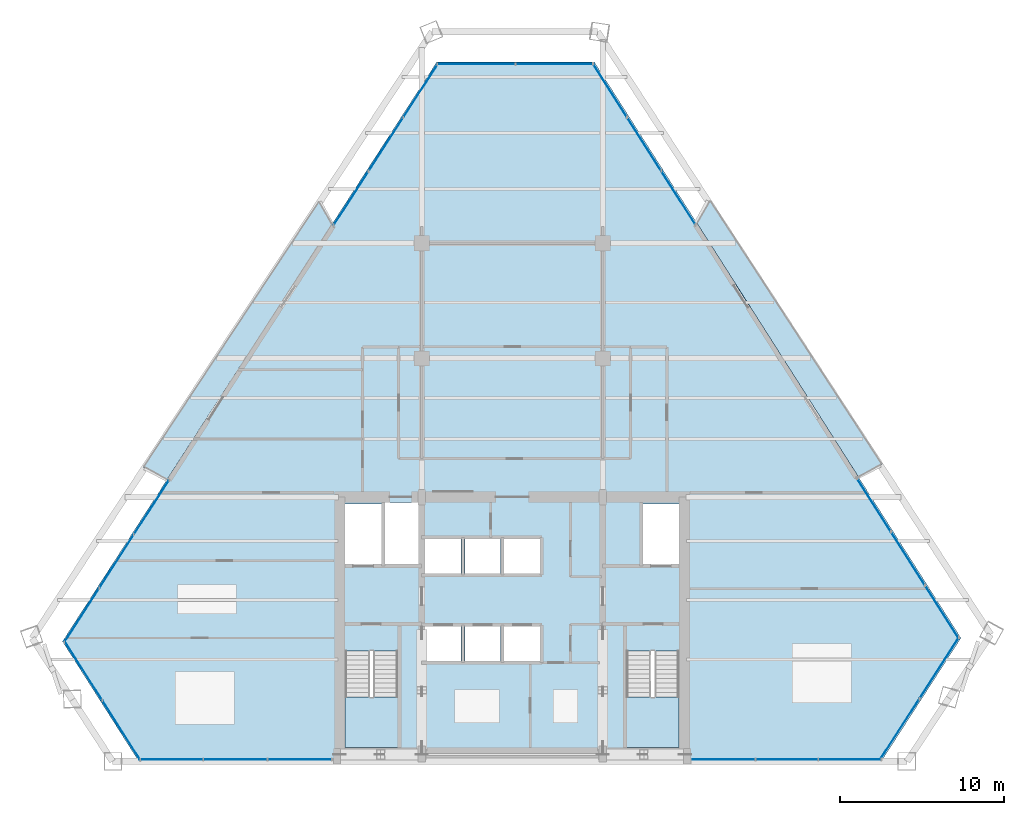
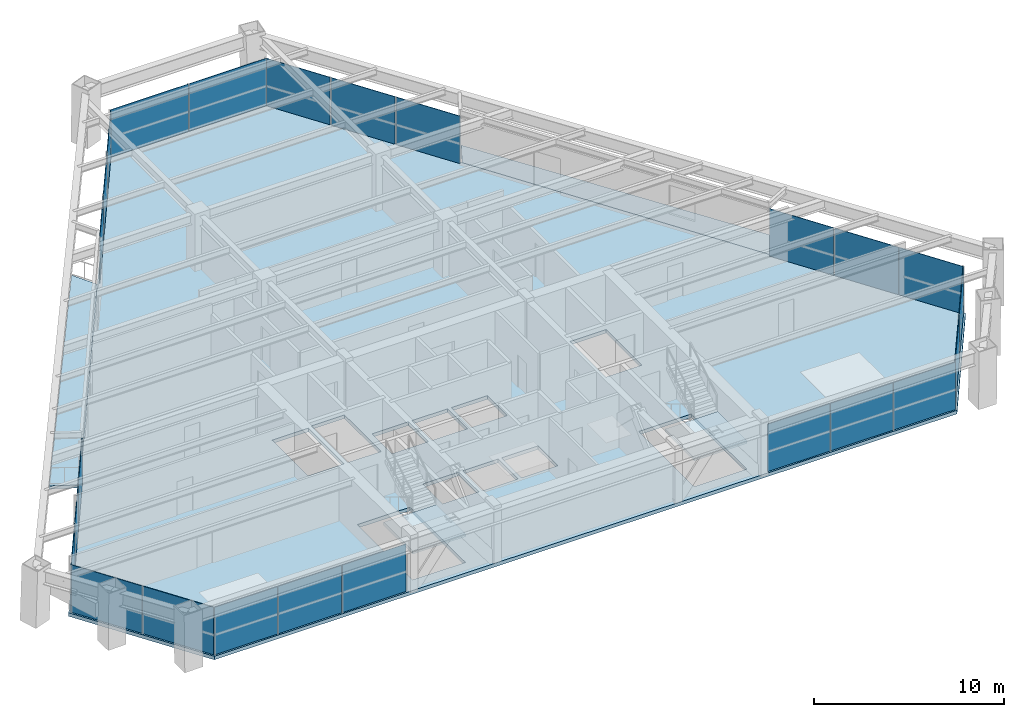
# One storey, part 10 of 15: 24 plates, 5 slabs, 11 elements without a shape of their own.
"""IFC4 building model written with IfcOpenShell, lengths in metres."""

from ifc_helpers import new_model, si_unit, direction, frame, origin, origin_2d, place, context, subcontext, project, spatial, polyline, rectangle, outline, extrude, source, transform, mapped, material, layer, layer_set, type_object, element, aggregate, save


model = new_model("IFC4")

# Units and contexts
model_context = context("Model", 3, precision=1e-05, world=origin(), true_north=direction((0.0, 1.0)))
body_context = subcontext(model_context, "Body", "Model", "MODEL_VIEW")
ifc_project = project(units=[si_unit("LENGTHUNIT", "METRE"), si_unit("AREAUNIT", "SQUARE_METRE"), si_unit("VOLUMEUNIT", "CUBIC_METRE"), si_unit("PLANEANGLEUNIT", "RADIAN"), si_unit("MASSUNIT", "GRAM", prefix="KILO")], contexts=[model_context])

# Site, building, storey
site_placement = place(None, origin())
site = spatial("IfcSite", under=ifc_project, at=site_placement, CompositionType="ELEMENT")
building_placement = place(site_placement, origin())
building = spatial("IfcBuilding", under=site, at=building_placement, Name="Varnakhor Terracotta Tower", CompositionType="ELEMENT")
storey_placement = place(building_placement, frame((0.0, 0.0, 147.800048828125)))
storey = spatial("IfcBuildingStorey", under=building, at=storey_placement, Name="L37", CompositionType="ELEMENT", Elevation=147.800048828125)

# Stair, slab
ifc_material_1 = material(Name="Concrete C40/50", Category="concrete")
stair_type = type_object("IfcStairType", Name="STR-CORE-OFFICE-1500", PredefinedType="HALF_TURN_STAIR", material=ifc_material_1)
stair_1_placement = place(storey_placement, origin())
stair_1 = element("IfcStair", 1, at=stair_1_placement, inside=storey, type_object=stair_type, Name="L37 Core Exit Stair ST-1", PredefinedType="HALF_TURN_STAIR")
ifc_layer_1 = layer(ifc_material_1, 0.179931640625, Name="Concrete C40/50")
ifc_layer_set_1 = layer_set([ifc_layer_1], Name="Concrete C40/50")
slab_type_1 = type_object("IfcSlabType", Name="SLB-LANDING-180", PredefinedType="LANDING", material=ifc_layer_set_1)
slab_1_placement = place(storey_placement, frame((0.0, 0.0, 1.64990234375)))
slab_1 = element("IfcSlab", 2, at=slab_1_placement, type_object=slab_type_1, Name="ST-1 landing 1", PredefinedType="LANDING", context=body_context, shape_type="SweptSolid", body=[
    extrude(outline(polyline([(-10.14990234375, 3.909912109375), (-10.14990234375, 0.85009765625), (-6.949951171875, 0.85009765625), (-6.949951171875, 3.909912109375), (-10.14990234375, 3.909912109375)])), origin(), (0.0, 0.0, 1.0), 0.199951171875),
])
aggregate(stair_1, [slab_1])

stair_2_placement = place(storey_placement, origin())
stair_2 = element("IfcStair", 3, at=stair_2_placement, inside=storey, type_object=stair_type, Name="L37 Core Exit Stair ST-2", PredefinedType="HALF_TURN_STAIR")
slab_2_placement = place(storey_placement, frame((0.0, 0.0, 1.64990234375)))
slab_2 = element("IfcSlab", 4, at=slab_2_placement, type_object=slab_type_1, Name="ST-2 landing 1", PredefinedType="LANDING", context=body_context, shape_type="SweptSolid", body=[
    extrude(outline(polyline([(6.949951171875, 3.909912109375), (6.949951171875, 0.85009765625), (10.14990234375, 0.85009765625), (10.14990234375, 3.909912109375), (6.949951171875, 3.909912109375)])), origin(), (0.0, 0.0, 1.0), 0.199951171875),
])
aggregate(stair_2, [slab_2])

# Slabs
ifc_layer_2 = layer(ifc_material_1, 0.195068359375, Name="Concrete C40/50")
ifc_layer_set_2 = layer_set([ifc_layer_2], Name="Concrete C40/50")
slab_type_2 = type_object("IfcSlabType", Name="SLB-LOGGIA-EXT-195", PredefinedType="FLOOR", material=ifc_layer_set_2)
slab_3_placement = place(storey_placement, frame((0.0, 0.0, -0.195068359375)))
element("IfcSlab", 5, at=slab_3_placement, inside=storey, type_object=slab_type_2, Name="L37 E Recessed Outdoor Loggia Slab", PredefinedType="FLOOR", context=body_context, shape_type="SweptSolid", body=[
    extrude(outline(polyline([(11.997802734375, 34.107666015625), (22.4794921875, 18.04296875), (21.040771484375, 17.298828125), (12.1015625, 31.34326171875), (11.2373046875, 32.701171875), (11.997802734375, 34.107666015625)])), origin(), (0.0, 0.0, 1.0), 0.195068359375),
])
slab_4_placement = place(storey_placement, frame((0.0, 0.0, -0.195068359375)))
element("IfcSlab", 6, at=slab_4_placement, inside=storey, type_object=slab_type_2, Name="L37 W Recessed Outdoor Loggia Slab", PredefinedType="FLOOR", context=body_context, shape_type="SweptSolid", body=[
    extrude(outline(polyline([(-22.417724609375, 17.8876953125), (-11.727294921875, 34.04736328125), (-10.964111328125, 32.643310546875), (-20.97265625, 17.14990234375), (-22.417724609375, 17.8876953125)])), origin(), (0.0, 0.0, 1.0), 0.195068359375),
])
ifc_layer_3 = layer(ifc_material_1, 0.22998046875, Name="Concrete C40/50")
ifc_layer_set_3 = layer_set([ifc_layer_3], Name="Concrete C40/50")
slab_type_3 = type_object("IfcSlabType", Name="SLB-OFF-230", PredefinedType="FLOOR", material=ifc_layer_set_3)
slab_5_placement = place(storey_placement, frame((0.0, 0.0, -0.22998046875)))
element("IfcSlab", 7, at=slab_5_placement, inside=storey, type_object=slab_type_3, Name="L37 Structural Floor Slab", PredefinedType="FLOOR", context=body_context, shape_type="SweptSolid", body=[
    extrude(outline(polyline([(-27.341796875, 7.29052734375), (-4.5947265625, 42.502685546875), (4.99853515625, 42.502685546875), (27.279541015625, 7.497314453125), (22.436279296875, 0.0), (-22.701416015625, 0.0), (-27.341796875, 7.29052734375)]), holes=[polyline([(-6.949951171875, 0.85009765625), (-6.949951171875, 6.695068359375), (-10.14990234375, 6.695068359375), (-10.14990234375, 0.85009765625), (-6.949951171875, 0.85009765625)]), polyline([(-3.10009765625, 6.10009765625), (-3.10009765625, 8.199951171875), (-5.300048828125, 8.199951171875), (-5.300048828125, 6.10009765625), (-3.10009765625, 6.10009765625)]), polyline([(-0.719970703125, 6.10009765625), (-0.719970703125, 8.199951171875), (-2.8798828125, 8.199951171875), (-2.8798828125, 6.10009765625), (-0.719970703125, 6.10009765625)]), polyline([(-5.300048828125, 11.419921875), (-3.10009765625, 11.419921875), (-3.10009765625, 13.52001953125), (-5.300048828125, 13.52001953125), (-5.300048828125, 11.419921875)]), polyline([(-10.14990234375, 11.8798828125), (-7.949951171875, 11.8798828125), (-7.949951171875, 15.64990234375), (-10.14990234375, 15.64990234375), (-10.14990234375, 11.8798828125)]), polyline([(-5.699951171875, 11.8798828125), (-5.699951171875, 15.75), (-7.72998046875, 15.75), (-7.72998046875, 11.8798828125), (-5.699951171875, 11.8798828125)]), polyline([(6.949951171875, 0.85009765625), (10.14990234375, 0.85009765625), (10.14990234375, 6.695068359375), (6.949951171875, 6.695068359375), (6.949951171875, 0.85009765625)]), polyline([(-0.5, 6.10009765625), (1.699951171875, 6.10009765625), (1.699951171875, 8.199951171875), (-0.5, 8.199951171875), (-0.5, 6.10009765625)]), polyline([(-0.719970703125, 11.419921875), (-0.719970703125, 13.52001953125), (-2.8798828125, 13.52001953125), (-2.8798828125, 11.419921875), (-0.719970703125, 11.419921875)]), polyline([(-0.5, 11.419921875), (1.699951171875, 11.419921875), (1.699951171875, 13.52001953125), (-0.5, 13.52001953125), (-0.5, 11.419921875)]), polyline([(7.949951171875, 11.8798828125), (10.14990234375, 11.8798828125), (10.14990234375, 15.64990234375), (7.949951171875, 15.64990234375), (7.949951171875, 11.8798828125)])]), origin(), (0.0, 0.0, 1.0), 0.22998046875),
])

# Curtain wall, plates
ifc_material_2 = material(Name="Anodised Aluminium Curtain Wall System", Category="aluminium")
curtain_wall_type = type_object("IfcCurtainWallType", Name="CW-SYS-MID-OFFICE", PredefinedType="NOTDEFINED", material=ifc_material_2)
curtain_wall_1_placement = place(storey_placement, origin())
curtain_wall_1 = element("IfcCurtainWall", 8, at=curtain_wall_1_placement, inside=storey, type_object=curtain_wall_type, Name="L37 W Facet Curtain Wall 1", PredefinedType="NOTDEFINED")
ifc_material_3 = material(Name="Solar-Control Low-E Insulated Glass Panel", Category="glass")
ifc_layer_4 = layer(ifc_material_3, 0.035888671875, Name="Solar-Control Low-E Insulated Glass Panel")
ifc_layer_set_4 = layer_set([ifc_layer_4], Name="Solar-Control Low-E Insulated Glass Panel")
plate_type = type_object("IfcPlateType", Name="CWP-03", PredefinedType="CURTAIN_PANEL", material=ifc_layer_set_4)
shared_shape_1 = source(origin(), body_context, "Body", "SweptSolid", [
    extrude(rectangle(XDim=3.8525390625, YDim=0.035888671875, at=origin_2d()), origin(), (0.0, 0.0, 1.0), 3.050048828125),
])
plate_1_placement = place(storey_placement, frame((-26.168701171875, 8.885498046875, 0.0), z_axis=(0.0, 0.0, 1.0), x_axis=(0.54263213388, 0.839970456195, 0.0)))
plate_1 = element("IfcPlate", 9, at=plate_1_placement, type_object=plate_type, Name="L37 W Facet Curtain Wall 1 Glazed Panel 1", PredefinedType="CURTAIN_PANEL", context=body_context, shape_type="MappedRepresentation", body=[
    mapped(shared_shape_1, transform((0.0, 0.0, 0.0), scale=1.0)),
])
plate_2_placement = place(storey_placement, frame((-24.056396484375, 12.155029296875, 0.0), z_axis=(0.0, 0.0, 1.0), x_axis=(0.54263213388, 0.839970456195, 0.0)))
plate_2 = element("IfcPlate", 10, at=plate_2_placement, type_object=plate_type, Name="L37 W Facet Curtain Wall 1 Glazed Panel 2", PredefinedType="CURTAIN_PANEL", context=body_context, shape_type="MappedRepresentation", body=[
    mapped(shared_shape_1, transform((0.0, 0.0, 0.0), scale=1.0)),
])
plate_3_placement = place(storey_placement, frame((-21.9443359375, 15.4248046875, 0.0), z_axis=(0.0, 0.0, 1.0), x_axis=(0.54263213388, 0.839970456195, 0.0)))
plate_3 = element("IfcPlate", 11, at=plate_3_placement, type_object=plate_type, Name="L37 W Facet Curtain Wall 1 Glazed Panel 3", PredefinedType="CURTAIN_PANEL", context=body_context, shape_type="MappedRepresentation", body=[
    mapped(shared_shape_1, transform((0.0, 0.0, 0.0), scale=1.0)),
])
aggregate(curtain_wall_1, [plate_1, plate_2, plate_3])

curtain_wall_2_placement = place(storey_placement, origin())
curtain_wall_2 = element("IfcCurtainWall", 12, at=curtain_wall_2_placement, inside=storey, type_object=curtain_wall_type, Name="L37 W Facet Curtain Wall 2", PredefinedType="NOTDEFINED")
plate_4_placement = place(storey_placement, frame((-9.790771484375, 34.238037109375, 0.0), z_axis=(0.0, 0.0, 1.0), x_axis=(0.54263213388, 0.839970456195, 0.0)))
plate_4 = element("IfcPlate", 13, at=plate_4_placement, type_object=plate_type, Name="L37 W Facet Curtain Wall 2 Glazed Panel 1", PredefinedType="CURTAIN_PANEL", context=body_context, shape_type="MappedRepresentation", body=[
    mapped(shared_shape_1, transform((0.0, 0.0, 0.0), scale=1.0)),
])
plate_5_placement = place(storey_placement, frame((-7.6787109375, 37.5078125, 0.0), z_axis=(0.0, 0.0, 1.0), x_axis=(0.54263213388, 0.839970456195, 0.0)))
plate_5 = element("IfcPlate", 14, at=plate_5_placement, type_object=plate_type, Name="L37 W Facet Curtain Wall 2 Glazed Panel 2", PredefinedType="CURTAIN_PANEL", context=body_context, shape_type="MappedRepresentation", body=[
    mapped(shared_shape_1, transform((0.0, 0.0, 0.0), scale=1.0)),
])
plate_6_placement = place(storey_placement, frame((-5.56640625, 40.777587890625, 0.0), z_axis=(0.0, 0.0, 1.0), x_axis=(0.54263213388, 0.839970456195, 0.0)))
plate_6 = element("IfcPlate", 15, at=plate_6_placement, type_object=plate_type, Name="L37 W Facet Curtain Wall 2 Glazed Panel 3", PredefinedType="CURTAIN_PANEL", context=body_context, shape_type="MappedRepresentation", body=[
    mapped(shared_shape_1, transform((0.0, 0.0, 0.0), scale=1.0)),
])
aggregate(curtain_wall_2, [plate_4, plate_5, plate_6])

curtain_wall_3_placement = place(storey_placement, origin())
curtain_wall_3 = element("IfcCurtainWall", 16, at=curtain_wall_3_placement, inside=storey, type_object=curtain_wall_type, Name="L37 Facet Curtain Wall 2", PredefinedType="NOTDEFINED")
shared_shape_2 = source(origin(), body_context, "Body", "SweptSolid", [
    extrude(rectangle(XDim=4.726806640625, YDim=0.035888671875, at=origin_2d()), origin(), (0.0, 0.0, 1.0), 3.050048828125),
])
plate_7_placement = place(storey_placement, frame((-2.181396484375, 42.382568359375, 0.0), z_axis=(0.0, 0.0, 1.0), x_axis=(1.0, 0.0, 0.0)))
plate_7 = element("IfcPlate", 17, at=plate_7_placement, type_object=plate_type, Name="L37 Facet Curtain Wall 2 Glazed Panel 1", PredefinedType="CURTAIN_PANEL", context=body_context, shape_type="MappedRepresentation", body=[
    mapped(shared_shape_2, transform((0.0, 0.0, 0.0), scale=1.0)),
])
shared_shape_3 = source(origin(), body_context, "Body", "SweptSolid", [
    extrude(rectangle(XDim=4.7265625, YDim=0.035888671875, at=origin_2d()), origin(), (0.0, 0.0, 1.0), 3.050048828125),
])
plate_8_placement = place(storey_placement, frame((2.585205078125, 42.382568359375, 0.0), z_axis=(0.0, 0.0, 1.0), x_axis=(1.0, 0.0, 0.0)))
plate_8 = element("IfcPlate", 18, at=plate_8_placement, type_object=plate_type, Name="L37 Facet Curtain Wall 2 Glazed Panel 2", PredefinedType="CURTAIN_PANEL", context=body_context, shape_type="MappedRepresentation", body=[
    mapped(shared_shape_3, transform((0.0, 0.0, 0.0), scale=1.0)),
])
aggregate(curtain_wall_3, [plate_7, plate_8])

curtain_wall_4_placement = place(storey_placement, origin())
curtain_wall_4 = element("IfcCurtainWall", 19, at=curtain_wall_4_placement, inside=storey, type_object=curtain_wall_type, Name="L37 E Facet Curtain Wall 1", PredefinedType="NOTDEFINED")
shared_shape_4 = source(origin(), body_context, "Body", "SweptSolid", [
    extrude(rectangle(XDim=3.812744140625, YDim=0.035888671875, at=origin_2d()), origin(), (0.0, 0.0, 1.0), 3.050048828125),
])
plate_9_placement = place(storey_placement, frame((5.94775390625, 40.787841796875, 0.0), z_axis=(0.0, 0.0, 1.0), x_axis=(0.53696100604, -0.84360706374, 0.0)))
plate_9 = element("IfcPlate", 20, at=plate_9_placement, type_object=plate_type, Name="L37 E Facet Curtain Wall 1 Glazed Panel 1", PredefinedType="CURTAIN_PANEL", context=body_context, shape_type="MappedRepresentation", body=[
    mapped(shared_shape_4, transform((0.0, 0.0, 0.0), scale=1.0)),
])
plate_10_placement = place(storey_placement, frame((8.0166015625, 37.537353515625, 0.0), z_axis=(0.0, 0.0, 1.0), x_axis=(0.53696100604, -0.84360706374, 0.0)))
plate_10 = element("IfcPlate", 21, at=plate_10_placement, type_object=plate_type, Name="L37 E Facet Curtain Wall 1 Glazed Panel 2", PredefinedType="CURTAIN_PANEL", context=body_context, shape_type="MappedRepresentation", body=[
    mapped(shared_shape_4, transform((0.0, 0.0, 0.0), scale=1.0)),
])
plate_11_placement = place(storey_placement, frame((10.08544921875, 34.287109375, 0.0), z_axis=(0.0, 0.0, 1.0), x_axis=(0.53696100604, -0.84360706374, 0.0)))
plate_11 = element("IfcPlate", 22, at=plate_11_placement, type_object=plate_type, Name="L37 E Facet Curtain Wall 1 Glazed Panel 3", PredefinedType="CURTAIN_PANEL", context=body_context, shape_type="MappedRepresentation", body=[
    mapped(shared_shape_4, transform((0.0, 0.0, 0.0), scale=1.0)),
])
aggregate(curtain_wall_4, [plate_9, plate_10, plate_11])

curtain_wall_5_placement = place(storey_placement, origin())
curtain_wall_5 = element("IfcCurtainWall", 23, at=curtain_wall_5_placement, inside=storey, type_object=curtain_wall_type, Name="L37 E Facet Curtain Wall 2", PredefinedType="NOTDEFINED")
plate_12_placement = place(storey_placement, frame((21.989990234375, 15.583984375, 0.0), z_axis=(0.0, 0.0, 1.0), x_axis=(0.53696100604, -0.84360706374, 0.0)))
plate_12 = element("IfcPlate", 24, at=plate_12_placement, type_object=plate_type, Name="L37 E Facet Curtain Wall 2 Glazed Panel 1", PredefinedType="CURTAIN_PANEL", context=body_context, shape_type="MappedRepresentation", body=[
    mapped(shared_shape_4, transform((0.0, 0.0, 0.0), scale=1.0)),
])
plate_13_placement = place(storey_placement, frame((24.058837890625, 12.333740234375, 0.0), z_axis=(0.0, 0.0, 1.0), x_axis=(0.53696100604, -0.84360706374, 0.0)))
plate_13 = element("IfcPlate", 25, at=plate_13_placement, type_object=plate_type, Name="L37 E Facet Curtain Wall 2 Glazed Panel 2", PredefinedType="CURTAIN_PANEL", context=body_context, shape_type="MappedRepresentation", body=[
    mapped(shared_shape_4, transform((0.0, 0.0, 0.0), scale=1.0)),
])
shared_shape_5 = source(origin(), body_context, "Body", "SweptSolid", [
    extrude(rectangle(XDim=3.81298828125, YDim=0.035888671875, at=origin_2d()), origin(), (0.0, 0.0, 1.0), 3.050048828125),
])
plate_14_placement = place(storey_placement, frame((26.127685546875, 9.083251953125, 0.0), z_axis=(0.0, 0.0, 1.0), x_axis=(0.53696100604, -0.84360706374, 0.0)))
plate_14 = element("IfcPlate", 26, at=plate_14_placement, type_object=plate_type, Name="L37 E Facet Curtain Wall 2 Glazed Panel 3", PredefinedType="CURTAIN_PANEL", context=body_context, shape_type="MappedRepresentation", body=[
    mapped(shared_shape_5, transform((0.0, 0.0, 0.0), scale=1.0)),
])
aggregate(curtain_wall_5, [plate_12, plate_13, plate_14])

curtain_wall_6_placement = place(storey_placement, origin())
curtain_wall_6 = element("IfcCurtainWall", 27, at=curtain_wall_6_placement, inside=storey, type_object=curtain_wall_type, Name="L37 Facet Curtain Wall 4", PredefinedType="NOTDEFINED")
shared_shape_6 = source(origin(), body_context, "Body", "SweptSolid", [
    extrude(rectangle(XDim=4.392578125, YDim=0.035888671875, at=origin_2d()), origin(), (0.0, 0.0, 1.0), 3.050048828125),
])
plate_15_placement = place(storey_placement, frame((25.959716796875, 5.675537109375, 0.0), z_axis=(0.0, 0.0, 1.0), x_axis=(-0.54263213388, -0.839970456195, 0.0)))
plate_15 = element("IfcPlate", 28, at=plate_15_placement, type_object=plate_type, Name="L37 Facet Curtain Wall 4 Glazed Panel 1", PredefinedType="CURTAIN_PANEL", context=body_context, shape_type="MappedRepresentation", body=[
    mapped(shared_shape_6, transform((0.0, 0.0, 0.0), scale=1.0)),
])
shared_shape_7 = source(origin(), body_context, "Body", "SweptSolid", [
    extrude(rectangle(XDim=4.392822265625, YDim=0.035888671875, at=origin_2d()), origin(), (0.0, 0.0, 1.0), 3.050048828125),
])
plate_16_placement = place(storey_placement, frame((23.554443359375, 1.9521484375, 0.0), z_axis=(0.0, 0.0, 1.0), x_axis=(-0.54263213388, -0.839970456195, 0.0)))
plate_16 = element("IfcPlate", 29, at=plate_16_placement, type_object=plate_type, Name="L37 Facet Curtain Wall 4 Glazed Panel 2", PredefinedType="CURTAIN_PANEL", context=body_context, shape_type="MappedRepresentation", body=[
    mapped(shared_shape_7, transform((0.0, 0.0, 0.0), scale=1.0)),
])
aggregate(curtain_wall_6, [plate_15, plate_16])

curtain_wall_7_placement = place(storey_placement, origin())
curtain_wall_7 = element("IfcCurtainWall", 30, at=curtain_wall_7_placement, inside=storey, type_object=curtain_wall_type, Name="L37 South Wing Curtain Wall SSE", PredefinedType="NOTDEFINED")
shared_shape_8 = source(origin(), body_context, "Body", "SweptSolid", [
    extrude(rectangle(XDim=3.77880859375, YDim=0.035888671875, at=origin_2d()), origin(), (0.0, 0.0, 1.0), 3.050048828125),
])
plate_17_placement = place(storey_placement, frame((20.516845703125, 0.1201171875, 0.0), z_axis=(0.0, 0.0, 1.0), x_axis=(-1.0, 0.0, 0.0)))
plate_17 = element("IfcPlate", 31, at=plate_17_placement, type_object=plate_type, Name="L37 South Wing Curtain Wall SSE Glazed Panel 1", PredefinedType="CURTAIN_PANEL", context=body_context, shape_type="MappedRepresentation", body=[
    mapped(shared_shape_8, transform((0.0, 0.0, 0.0), scale=1.0)),
])
plate_18_placement = place(storey_placement, frame((16.697998046875, 0.1201171875, 0.0), z_axis=(0.0, 0.0, 1.0), x_axis=(-1.0, 0.0, 0.0)))
plate_18 = element("IfcPlate", 32, at=plate_18_placement, type_object=plate_type, Name="L37 South Wing Curtain Wall SSE Glazed Panel 2", PredefinedType="CURTAIN_PANEL", context=body_context, shape_type="MappedRepresentation", body=[
    mapped(shared_shape_8, transform((0.0, 0.0, 0.0), scale=1.0)),
])
plate_19_placement = place(storey_placement, frame((12.87939453125, 0.1201171875, 0.0), z_axis=(0.0, 0.0, 1.0), x_axis=(-1.0, 0.0, 0.0)))
plate_19 = element("IfcPlate", 33, at=plate_19_placement, type_object=plate_type, Name="L37 South Wing Curtain Wall SSE Glazed Panel 3", PredefinedType="CURTAIN_PANEL", context=body_context, shape_type="MappedRepresentation", body=[
    mapped(shared_shape_8, transform((0.0, 0.0, 0.0), scale=1.0)),
])
aggregate(curtain_wall_7, [plate_17, plate_18, plate_19])

curtain_wall_8_placement = place(storey_placement, origin())
curtain_wall_8 = element("IfcCurtainWall", 34, at=curtain_wall_8_placement, inside=storey, type_object=curtain_wall_type, Name="L37 South Wing Curtain Wall SSW", PredefinedType="NOTDEFINED")
shared_shape_9 = source(origin(), body_context, "Body", "SweptSolid", [
    extrude(rectangle(XDim=3.8671875, YDim=0.035888671875, at=origin_2d()), origin(), (0.0, 0.0, 1.0), 3.050048828125),
])
plate_20_placement = place(storey_placement, frame((-12.923583984375, 0.1201171875, 0.0), z_axis=(0.0, 0.0, 1.0), x_axis=(-1.0, 0.0, 0.0)))
plate_20 = element("IfcPlate", 35, at=plate_20_placement, type_object=plate_type, Name="L37 South Wing Curtain Wall SSW Glazed Panel 1", PredefinedType="CURTAIN_PANEL", context=body_context, shape_type="MappedRepresentation", body=[
    mapped(shared_shape_9, transform((0.0, 0.0, 0.0), scale=1.0)),
])
plate_21_placement = place(storey_placement, frame((-16.830810546875, 0.1201171875, 0.0), z_axis=(0.0, 0.0, 1.0), x_axis=(-1.0, 0.0, 0.0)))
plate_21 = element("IfcPlate", 36, at=plate_21_placement, type_object=plate_type, Name="L37 South Wing Curtain Wall SSW Glazed Panel 2", PredefinedType="CURTAIN_PANEL", context=body_context, shape_type="MappedRepresentation", body=[
    mapped(shared_shape_9, transform((0.0, 0.0, 0.0), scale=1.0)),
])
plate_22_placement = place(storey_placement, frame((-20.73779296875, 0.1201171875, 0.0), z_axis=(0.0, 0.0, 1.0), x_axis=(-1.0, 0.0, 0.0)))
plate_22 = element("IfcPlate", 37, at=plate_22_placement, type_object=plate_type, Name="L37 South Wing Curtain Wall SSW Glazed Panel 3", PredefinedType="CURTAIN_PANEL", context=body_context, shape_type="MappedRepresentation", body=[
    mapped(shared_shape_9, transform((0.0, 0.0, 0.0), scale=1.0)),
])
aggregate(curtain_wall_8, [plate_20, plate_21, plate_22])

curtain_wall_9_placement = place(storey_placement, origin())
curtain_wall_9 = element("IfcCurtainWall", 38, at=curtain_wall_9_placement, inside=storey, type_object=curtain_wall_type, Name="L37 Facet Curtain Wall 6", PredefinedType="NOTDEFINED")
shared_shape_10 = source(origin(), body_context, "Body", "SweptSolid", [
    extrude(rectangle(XDim=4.251220703125, YDim=0.035888671875, at=origin_2d()), origin(), (0.0, 0.0, 1.0), 3.050048828125),
])
plate_23_placement = place(storey_placement, frame((-23.7685546875, 1.899658203125, 0.0), z_axis=(0.0, 0.0, 1.0), x_axis=(-0.53696100604, 0.84360706374, 0.0)))
plate_23 = element("IfcPlate", 39, at=plate_23_placement, type_object=plate_type, Name="L37 Facet Curtain Wall 6 Glazed Panel 1", PredefinedType="CURTAIN_PANEL", context=body_context, shape_type="MappedRepresentation", body=[
    mapped(shared_shape_10, transform((0.0, 0.0, 0.0), scale=1.0)),
])
shared_shape_11 = source(origin(), body_context, "Body", "SweptSolid", [
    extrude(rectangle(XDim=4.2509765625, YDim=0.035888671875, at=origin_2d()), origin(), (0.0, 0.0, 1.0), 3.050048828125),
])
plate_24_placement = place(storey_placement, frame((-26.072509765625, 5.519775390625, 0.0), z_axis=(0.0, 0.0, 1.0), x_axis=(-0.53696100604, 0.84360706374, 0.0)))
plate_24 = element("IfcPlate", 40, at=plate_24_placement, type_object=plate_type, Name="L37 Facet Curtain Wall 6 Glazed Panel 2", PredefinedType="CURTAIN_PANEL", context=body_context, shape_type="MappedRepresentation", body=[
    mapped(shared_shape_11, transform((0.0, 0.0, 0.0), scale=1.0)),
])
aggregate(curtain_wall_9, [plate_23, plate_24])

save(model, "model.ifc")
